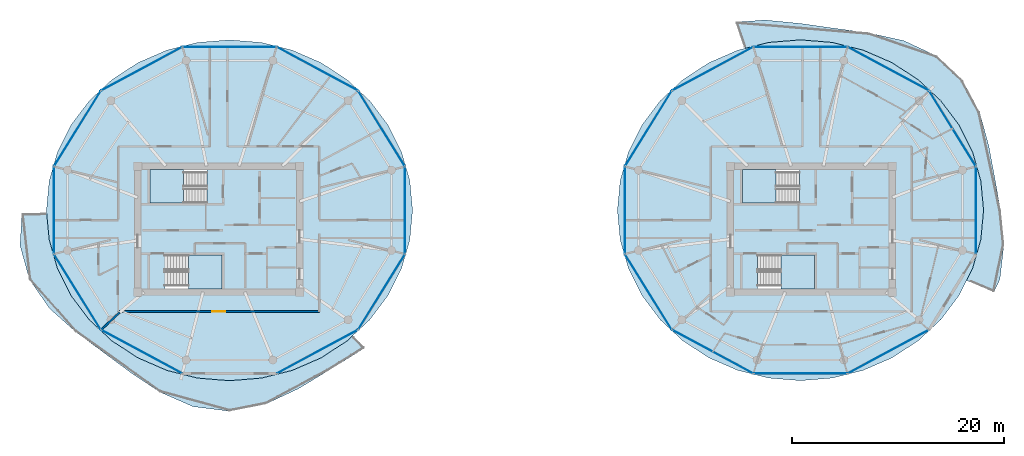
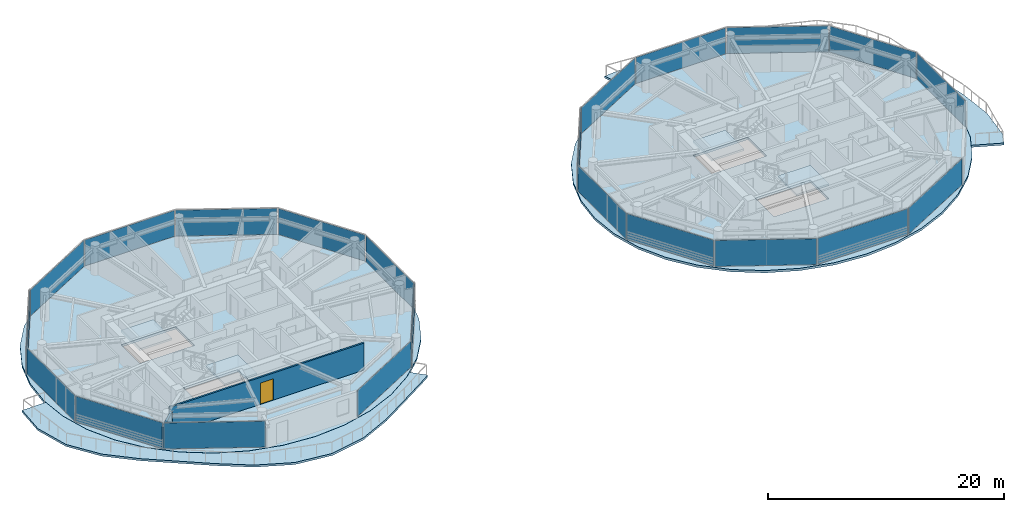
# One storey, part 11 of 22: 22 plates, 8 slabs, 2 walls, 1 door, 1 opening, 26 elements without a shape of their own.
"""IFC4 building model written with IfcOpenShell, lengths in metres."""

from ifc_helpers import new_model, si_unit, direction, frame, frame_2d, origin, origin_2d, place, context, subcontext, project, spatial, polyline, rectangle, outline, extrude, source, transform, mapped, material, layer, layer_set, type_object, type_shapes, element, fill, aggregate, save


model = new_model("IFC4")

# Units and contexts
model_context = context("Model", 3, precision=1e-05, world=origin(), true_north=direction((0.0, 1.0)))
body_context = subcontext(model_context, "Body", "Model", "MODEL_VIEW")
ifc_project = project(units=[si_unit("LENGTHUNIT", "METRE"), si_unit("AREAUNIT", "SQUARE_METRE"), si_unit("VOLUMEUNIT", "CUBIC_METRE"), si_unit("PLANEANGLEUNIT", "RADIAN"), si_unit("MASSUNIT", "GRAM", prefix="KILO")], contexts=[model_context])

# Site, building, storey
site_placement = place(None, origin())
site = spatial("IfcSite", under=ifc_project, at=site_placement, CompositionType="ELEMENT")
building_placement = place(site_placement, origin())
building = spatial("IfcBuilding", under=site, at=building_placement, Name="Norrkilde Senior Care Towers", CompositionType="ELEMENT")
storey_placement = place(building_placement, frame((0.0, 0.0, 167.85009765625)))
storey = spatial("IfcBuildingStorey", under=building, at=storey_placement, Name="L52", CompositionType="ELEMENT", Elevation=167.85009765625)

# Slabs
ifc_material_1 = material(Name="Concrete C50/60", Category="concrete")
ifc_layer_1 = layer(ifc_material_1, 0.215087890625)
ifc_layer_set_1 = layer_set([ifc_layer_1], Name="Concrete C50/60")
slab_type_1 = type_object("IfcSlabType", Name="Sinusoidal Balcony Ribbon Slab 215", PredefinedType="FLOOR", material=ifc_layer_set_1)
slab_1_placement = place(storey_placement, frame((0.0, 0.0, -0.215087890625)))
element("IfcSlab", 1, at=slab_1_placement, inside=storey, type_object=slab_type_1, Name="L52 Drum W Swirling Senior Balcony 1", PredefinedType="FLOOR", context=body_context, shape_type="SweptSolid", body=[
    extrude(outline(polyline([(-17.66796875, -13.390380859375), (-20.469482421875, -15.09130859375), (-23.56787109375, -16.5361328125), (-26.97509765625, -17.207763671875), (-30.422119140625, -16.779541015625), (-33.582275390625, -15.39208984375), (-36.358154296875, -13.5322265625), (-38.9306640625, -11.6279296875), (-41.500732421875, -9.721435546875), (-43.966552734375, -7.521240234375), (-45.8798828125, -4.766845703125), (-46.7724609375, -1.54345703125), (-46.581787109375, 1.45068359375), (-44.253173828125, 1.4892578125), (-44.01708984375, -1.021240234375), (-43.236328125, -3.73291015625), (-41.961669921875, -6.277099609375), (-40.2314453125, -8.57666015625), (-38.098388671875, -10.561767578125), (-35.62744140625, -12.171875), (-32.8935546875, -13.3583984375), (-29.97998046875, -14.0849609375), (-26.97509765625, -14.32958984375), (-23.969970703125, -14.0849609375), (-21.056396484375, -13.3583984375), (-18.322509765625, -12.171875), (-15.8515625, -10.561767578125), (-15.326416015625, -10.072998046875), (-14.1982421875, -11.22021484375), (-14.951416015625, -11.71484375), (-17.66796875, -13.390380859375)])), origin(), (0.0, 0.0, 1.0), 0.215087890625),
])
slab_2_placement = place(storey_placement, frame((0.0, 0.0, -0.215087890625)))
element("IfcSlab", 2, at=slab_2_placement, inside=storey, type_object=slab_type_1, Name="L52 Drum E Swirling Senior Balcony 1", PredefinedType="FLOOR", context=body_context, shape_type="SweptSolid", body=[
    extrude(outline(polyline([(45.256591796875, -5.94482421875), (42.67431640625, -4.8544921875), (43.236328125, -3.73291015625), (44.01708984375, -1.021240234375), (44.280029296875, 1.775390625), (44.01708984375, 4.572021484375), (43.236328125, 7.28369140625), (41.961669921875, 9.827880859375), (40.2314453125, 12.12744140625), (38.098388671875, 14.112548828125), (35.62744140625, 15.72265625), (32.8935546875, 16.9091796875), (29.97998046875, 17.6357421875), (26.97509765625, 17.88037109375), (23.969970703125, 17.6357421875), (21.73291015625, 17.077880859375), (20.886474609375, 19.548583984375), (23.622314453125, 19.75439453125), (26.97509765625, 19.42431640625), (30.198974609375, 18.970458984375), (33.44189453125, 18.528076171875), (36.744140625, 17.80126953125), (39.845458984375, 16.349853515625), (42.31396484375, 14.00537109375), (43.89990234375, 11.030517578125), (44.766357421875, 7.882080078125), (45.339111328125, 4.822509765625), (45.88134765625, 1.775390625), (46.2060546875, -1.43603515625), (45.82275390625, -4.74462890625), (45.256591796875, -5.94482421875)])), origin(), (0.0, 0.0, 1.0), 0.215087890625),
])

# Stair, slab
ifc_material_2 = material(Name="Concrete C45/55", Category="concrete")
stair_type = type_object("IfcStairType", Name="Core Protected Dogleg Stair Typical 3050", PredefinedType="HALF_TURN_STAIR", material=ifc_material_2)
stair_1_placement = place(storey_placement, origin())
stair_1 = element("IfcStair", 3, at=stair_1_placement, inside=storey, type_object=stair_type, Name="L52 Protected Core Stair W1", PredefinedType="HALF_TURN_STAIR")
ifc_layer_2 = layer(ifc_material_2, 0.199951171875)
ifc_layer_set_2 = layer_set([ifc_layer_2], Name="Concrete C45/55")
slab_type_2 = type_object("IfcSlabType", Name="Stair Landing Slab 200", PredefinedType="LANDING", material=ifc_layer_set_2)
slab_3_placement = place(storey_placement, frame((0.0, 0.0, 1.324951171875)))
slab_3 = element("IfcSlab", 4, at=slab_3_placement, type_object=slab_type_2, Name="ST-W1 landing 1", PredefinedType="LANDING", context=body_context, shape_type="SweptSolid", body=[
    extrude(outline(polyline([(-31.340087890625, 5.639892578125), (-34.5, 5.639892578125), (-34.5, 2.449951171875), (-31.340087890625, 2.449951171875), (-31.340087890625, 5.639892578125)])), origin(), (0.0, 0.0, 1.0), 0.199951171875),
])
aggregate(stair_1, [slab_3])

stair_2_placement = place(storey_placement, origin())
stair_2 = element("IfcStair", 5, at=stair_2_placement, inside=storey, type_object=stair_type, Name="L52 Protected Core Stair W2", PredefinedType="HALF_TURN_STAIR")
slab_4_placement = place(storey_placement, frame((0.0, 0.0, 1.324951171875)))
slab_4 = element("IfcSlab", 6, at=slab_4_placement, type_object=slab_type_2, Name="ST-W2 landing 1", PredefinedType="LANDING", context=body_context, shape_type="SweptSolid", body=[
    extrude(outline(polyline([(-30.860107421875, -5.639892578125), (-27.699951171875, -5.639892578125), (-27.699951171875, -2.449951171875), (-30.860107421875, -2.449951171875), (-30.860107421875, -5.639892578125)])), origin(), (0.0, 0.0, 1.0), 0.199951171875),
])
aggregate(stair_2, [slab_4])

stair_3_placement = place(storey_placement, origin())
stair_3 = element("IfcStair", 7, at=stair_3_placement, inside=storey, type_object=stair_type, Name="L52 Protected Core Stair E1", PredefinedType="HALF_TURN_STAIR")
slab_5_placement = place(storey_placement, frame((0.0, 0.0, 1.324951171875)))
slab_5 = element("IfcSlab", 8, at=slab_5_placement, type_object=slab_type_2, Name="ST-E1 landing 1", PredefinedType="LANDING", context=body_context, shape_type="SweptSolid", body=[
    extrude(outline(polyline([(24.659912109375, 5.639892578125), (21.5, 5.639892578125), (21.5, 2.449951171875), (24.659912109375, 2.449951171875), (24.659912109375, 5.639892578125)])), origin(), (0.0, 0.0, 1.0), 0.199951171875),
])
aggregate(stair_3, [slab_5])

stair_4_placement = place(storey_placement, origin())
stair_4 = element("IfcStair", 9, at=stair_4_placement, inside=storey, type_object=stair_type, Name="L52 Protected Core Stair E2", PredefinedType="HALF_TURN_STAIR")
slab_6_placement = place(storey_placement, frame((0.0, 0.0, 1.324951171875)))
slab_6 = element("IfcSlab", 10, at=slab_6_placement, type_object=slab_type_2, Name="ST-E2 landing 1", PredefinedType="LANDING", context=body_context, shape_type="SweptSolid", body=[
    extrude(outline(polyline([(25.139892578125, -5.639892578125), (28.300048828125, -5.639892578125), (28.300048828125, -2.449951171875), (25.139892578125, -2.449951171875), (25.139892578125, -5.639892578125)])), origin(), (0.0, 0.0, 1.0), 0.199951171875),
])
aggregate(stair_4, [slab_6])

# Slabs
ifc_layer_3 = layer(ifc_material_1, 0.239990234375)
ifc_layer_set_3 = layer_set([ifc_layer_3], Name="Concrete C50/60")
slab_type_3 = type_object("IfcSlabType", Name="Tower Residence Floor Slab 240", PredefinedType="FLOOR", material=ifc_layer_set_3)
slab_7_placement = place(storey_placement, frame((0.0, 0.0, -0.239990234375)))
element("IfcSlab", 11, at=slab_7_placement, inside=storey, type_object=slab_type_3, Name="L52 Drum W Structural Floor Slab", PredefinedType="FLOOR", context=body_context, shape_type="SweptSolid", body=[
    extrude(outline(polyline([(-10.71826171875, -3.731201171875), (-11.99267578125, -6.274658203125), (-13.722412109375, -8.573486328125), (-15.854736328125, -10.557861328125), (-18.324951171875, -12.167724609375), (-21.05810546875, -13.353759765625), (-23.970947265625, -14.080078125), (-26.97509765625, -14.32470703125), (-29.97900390625, -14.080078125), (-32.891845703125, -13.353759765625), (-35.625, -12.167724609375), (-38.09521484375, -10.557861328125), (-40.2275390625, -8.573486328125), (-41.957275390625, -6.274658203125), (-43.231689453125, -3.731201171875), (-44.01220703125, -1.020263671875), (-44.27490234375, 1.775390625), (-44.01220703125, 4.571044921875), (-43.231689453125, 7.281982421875), (-41.957275390625, 9.825439453125), (-40.2275390625, 12.124267578125), (-38.09521484375, 14.108642578125), (-35.625, 15.71826171875), (-32.891845703125, 16.904296875), (-29.97900390625, 17.630859375), (-26.97509765625, 17.875244140625), (-23.970947265625, 17.630859375), (-21.05810546875, 16.904296875), (-18.324951171875, 15.71826171875), (-15.854736328125, 14.108642578125), (-13.722412109375, 12.124267578125), (-11.99267578125, 9.825439453125), (-10.71826171875, 7.281982421875), (-9.937744140625, 4.571044921875), (-9.675048828125, 1.775390625), (-9.937744140625, -1.020263671875), (-10.71826171875, -3.731201171875)]), holes=[polyline([(-34.48193359375, 2.468017578125), (-29.117919921875, 2.468017578125), (-29.117919921875, 5.639892578125), (-34.48193359375, 5.639892578125), (-34.48193359375, 2.468017578125)]), polyline([(-27.718017578125, -5.639892578125), (-27.718017578125, -2.468017578125), (-33.08203125, -2.468017578125), (-33.08203125, -5.639892578125), (-27.718017578125, -5.639892578125)])]), origin(), (0.0, 0.0, 1.0), 0.239990234375),
])
slab_8_placement = place(storey_placement, frame((0.0, 0.0, -0.239990234375)))
element("IfcSlab", 12, at=slab_8_placement, inside=storey, type_object=slab_type_3, Name="L52 Drum E Structural Floor Slab", PredefinedType="FLOOR", context=body_context, shape_type="SweptSolid", body=[
    extrude(outline(polyline([(43.231689453125, -3.731201171875), (41.957275390625, -6.274658203125), (40.2275390625, -8.573486328125), (38.09521484375, -10.557861328125), (35.625, -12.167724609375), (32.891845703125, -13.353759765625), (29.97900390625, -14.080078125), (26.97509765625, -14.32470703125), (23.970947265625, -14.080078125), (21.05810546875, -13.353759765625), (18.324951171875, -12.167724609375), (15.854736328125, -10.557861328125), (13.722412109375, -8.573486328125), (11.99267578125, -6.274658203125), (10.71826171875, -3.731201171875), (9.937744140625, -1.020263671875), (9.675048828125, 1.775390625), (9.937744140625, 4.571044921875), (10.71826171875, 7.281982421875), (11.99267578125, 9.825439453125), (13.722412109375, 12.124267578125), (15.854736328125, 14.108642578125), (18.324951171875, 15.71826171875), (21.05810546875, 16.904296875), (23.970947265625, 17.630859375), (26.97509765625, 17.875244140625), (29.97900390625, 17.630859375), (32.891845703125, 16.904296875), (35.625, 15.71826171875), (38.09521484375, 14.108642578125), (40.2275390625, 12.124267578125), (41.957275390625, 9.825439453125), (43.231689453125, 7.281982421875), (44.01220703125, 4.571044921875), (44.27490234375, 1.775390625), (44.01220703125, -1.020263671875), (43.231689453125, -3.731201171875)]), holes=[polyline([(21.51806640625, 2.468017578125), (26.882080078125, 2.468017578125), (26.882080078125, 5.639892578125), (21.51806640625, 5.639892578125), (21.51806640625, 2.468017578125)]), polyline([(28.281982421875, -5.639892578125), (28.281982421875, -2.468017578125), (22.91796875, -2.468017578125), (22.91796875, -5.639892578125), (28.281982421875, -5.639892578125)])]), origin(), (0.0, 0.0, 1.0), 0.239990234375),
])

# Curtain wall, plate
ifc_material_3 = material(Name="Triple Low-E Insulated Glazing", Category="glass")
ifc_layer_4 = layer(ifc_material_3, 0.18994140625)
ifc_layer_set_4 = layer_set([ifc_layer_4], Name="Triple Low-E Insulated Glazing")
curtain_wall_type = type_object("IfcCurtainWallType", Name="CW4 Zone 3 Senior Residence Curtain Wall", PredefinedType="NOTDEFINED", material=ifc_layer_set_4)
curtain_wall_1_placement = place(storey_placement, origin())
curtain_wall_1 = element("IfcCurtainWall", 13, at=curtain_wall_1_placement, inside=storey, type_object=curtain_wall_type, Name="L52 Drum W Curtain Wall 00", PredefinedType="NOTDEFINED")
ifc_layer_5 = layer(ifc_material_3, 0.035888671875)
ifc_layer_set_5 = layer_set([ifc_layer_5], Name="Triple Low-E Insulated Glazing")
plate_type = type_object("IfcPlateType", Name="Triple Low-E Vision Curtain Panel 36", PredefinedType="CURTAIN_PANEL", material=ifc_layer_set_5)
shared_shape_1 = source(origin(), body_context, "Body", "SweptSolid", [
    extrude(rectangle(XDim=8.301513671875, YDim=0.035888671875, at=origin_2d()), origin(), (0.0, 0.0, 1.0), 2.68994140625),
])
plate_1_placement = place(storey_placement, frame((-12.603759765625, 9.4931640625, 0.059814453125), z_axis=(0.0, 0.0, 1.0), x_axis=(0.52737270789, -0.84963405474, 0.0)))
plate_1 = element("IfcPlate", 14, at=plate_1_placement, type_object=plate_type, Name="CW-4 panel 1.1", PredefinedType="CURTAIN_PANEL", context=body_context, shape_type="MappedRepresentation", body=[
    mapped(shared_shape_1, transform((0.0, 0.0, 0.0), x_axis=(1.0, 0.0, 0.0), y_axis=(0.0, 1.0, 0.0), z_axis=(0.0, 0.0, 1.0), scale=1.0)),
])
aggregate(curtain_wall_1, [plate_1])

curtain_wall_2_placement = place(storey_placement, origin())
curtain_wall_2 = element("IfcCurtainWall", 15, at=curtain_wall_2_placement, inside=storey, type_object=curtain_wall_type, Name="L52 Drum W Curtain Wall 04", PredefinedType="NOTDEFINED")
plate_2_placement = place(storey_placement, frame((-41.346435546875, 9.4931640625, 0.059814453125), z_axis=(0.0, 0.0, 1.0), x_axis=(0.52737270789, 0.84963405474, 0.0)))
plate_2 = element("IfcPlate", 16, at=plate_2_placement, type_object=plate_type, Name="CW-4 panel 1.1", PredefinedType="CURTAIN_PANEL", context=body_context, shape_type="MappedRepresentation", body=[
    mapped(shared_shape_1, transform((0.0, 0.0, 0.0), x_axis=(1.0, 0.0, 0.0), y_axis=(0.0, 1.0, 0.0), z_axis=(0.0, 0.0, 1.0), scale=1.0)),
])
aggregate(curtain_wall_2, [plate_2])

curtain_wall_3_placement = place(storey_placement, origin())
curtain_wall_3 = element("IfcCurtainWall", 17, at=curtain_wall_3_placement, inside=storey, type_object=curtain_wall_type, Name="L52 Drum W Curtain Wall 06", PredefinedType="NOTDEFINED")
plate_3_placement = place(storey_placement, frame((-41.346435546875, -5.9423828125, 0.059814453125), z_axis=(0.0, 0.0, 1.0), x_axis=(-0.52737270789, 0.84963405474, 0.0)))
plate_3 = element("IfcPlate", 18, at=plate_3_placement, type_object=plate_type, Name="CW-4 panel 1.1", PredefinedType="CURTAIN_PANEL", context=body_context, shape_type="MappedRepresentation", body=[
    mapped(shared_shape_1, transform((0.0, 0.0, 0.0), x_axis=(1.0, 0.0, 0.0), y_axis=(0.0, 1.0, 0.0), z_axis=(0.0, 0.0, 1.0), scale=1.0)),
])
aggregate(curtain_wall_3, [plate_3])

curtain_wall_4_placement = place(storey_placement, origin())
curtain_wall_4 = element("IfcCurtainWall", 19, at=curtain_wall_4_placement, inside=storey, type_object=curtain_wall_type, Name="L52 Drum W Curtain Wall 10", PredefinedType="NOTDEFINED")
plate_4_placement = place(storey_placement, frame((-12.603759765625, -5.9423828125, 0.059814453125), z_axis=(0.0, 0.0, 1.0), x_axis=(-0.52737270789, -0.84963405474, 0.0)))
plate_4 = element("IfcPlate", 20, at=plate_4_placement, type_object=plate_type, Name="CW-4 panel 1.1", PredefinedType="CURTAIN_PANEL", context=body_context, shape_type="MappedRepresentation", body=[
    mapped(shared_shape_1, transform((0.0, 0.0, 0.0), x_axis=(1.0, 0.0, 0.0), y_axis=(0.0, 1.0, 0.0), z_axis=(0.0, 0.0, 1.0), scale=1.0)),
])
aggregate(curtain_wall_4, [plate_4])

curtain_wall_5_placement = place(storey_placement, origin())
curtain_wall_5 = element("IfcCurtainWall", 21, at=curtain_wall_5_placement, inside=storey, type_object=curtain_wall_type, Name="L52 Drum E Curtain Wall 00", PredefinedType="NOTDEFINED")
plate_5_placement = place(storey_placement, frame((41.346435546875, 9.4931640625, 0.059814453125), z_axis=(0.0, 0.0, 1.0), x_axis=(0.52737270789, -0.84963405474, 0.0)))
plate_5 = element("IfcPlate", 22, at=plate_5_placement, type_object=plate_type, Name="CW-4 panel 1.1", PredefinedType="CURTAIN_PANEL", context=body_context, shape_type="MappedRepresentation", body=[
    mapped(shared_shape_1, transform((0.0, 0.0, 0.0), x_axis=(1.0, 0.0, 0.0), y_axis=(0.0, 1.0, 0.0), z_axis=(0.0, 0.0, 1.0), scale=1.0)),
])
aggregate(curtain_wall_5, [plate_5])

curtain_wall_6_placement = place(storey_placement, origin())
curtain_wall_6 = element("IfcCurtainWall", 23, at=curtain_wall_6_placement, inside=storey, type_object=curtain_wall_type, Name="L52 Drum E Curtain Wall 04", PredefinedType="NOTDEFINED")
plate_6_placement = place(storey_placement, frame((12.603759765625, 9.4931640625, 0.059814453125), z_axis=(0.0, 0.0, 1.0), x_axis=(0.52737270789, 0.84963405474, 0.0)))
plate_6 = element("IfcPlate", 24, at=plate_6_placement, type_object=plate_type, Name="CW-4 panel 1.1", PredefinedType="CURTAIN_PANEL", context=body_context, shape_type="MappedRepresentation", body=[
    mapped(shared_shape_1, transform((0.0, 0.0, 0.0), x_axis=(1.0, 0.0, 0.0), y_axis=(0.0, 1.0, 0.0), z_axis=(0.0, 0.0, 1.0), scale=1.0)),
])
aggregate(curtain_wall_6, [plate_6])

curtain_wall_7_placement = place(storey_placement, origin())
curtain_wall_7 = element("IfcCurtainWall", 25, at=curtain_wall_7_placement, inside=storey, type_object=curtain_wall_type, Name="L52 Drum E Curtain Wall 06", PredefinedType="NOTDEFINED")
plate_7_placement = place(storey_placement, frame((12.603759765625, -5.9423828125, 0.059814453125), z_axis=(0.0, 0.0, 1.0), x_axis=(-0.52737270789, 0.84963405474, 0.0)))
plate_7 = element("IfcPlate", 26, at=plate_7_placement, type_object=plate_type, Name="CW-4 panel 1.1", PredefinedType="CURTAIN_PANEL", context=body_context, shape_type="MappedRepresentation", body=[
    mapped(shared_shape_1, transform((0.0, 0.0, 0.0), x_axis=(1.0, 0.0, 0.0), y_axis=(0.0, 1.0, 0.0), z_axis=(0.0, 0.0, 1.0), scale=1.0)),
])
aggregate(curtain_wall_7, [plate_7])

curtain_wall_8_placement = place(storey_placement, origin())
curtain_wall_8 = element("IfcCurtainWall", 27, at=curtain_wall_8_placement, inside=storey, type_object=curtain_wall_type, Name="L52 Drum W Curtain Wall 01", PredefinedType="NOTDEFINED")
shared_shape_2 = source(origin(), body_context, "Body", "SweptSolid", [
    extrude(rectangle(XDim=8.61181640625, YDim=0.035888671875, at=origin_2d()), origin(), (0.0, 0.0, 1.0), 2.68994140625),
])
plate_8_placement = place(storey_placement, frame((-18.677734375, 15.142822265625, 0.059814453125), z_axis=(0.0, 0.0, 1.0), x_axis=(0.880999524059, -0.47311715104, 0.0)))
plate_8 = element("IfcPlate", 28, at=plate_8_placement, type_object=plate_type, Name="CW-4 panel 1.1", PredefinedType="CURTAIN_PANEL", context=body_context, shape_type="MappedRepresentation", body=[
    mapped(shared_shape_2, transform((0.0, 0.0, 0.0), x_axis=(1.0, 0.0, 0.0), y_axis=(0.0, 1.0, 0.0), z_axis=(0.0, 0.0, 1.0), scale=1.0)),
])
aggregate(curtain_wall_8, [plate_8])

curtain_wall_9_placement = place(storey_placement, origin())
curtain_wall_9 = element("IfcCurtainWall", 29, at=curtain_wall_9_placement, inside=storey, type_object=curtain_wall_type, Name="L52 Drum W Curtain Wall 03", PredefinedType="NOTDEFINED")
plate_9_placement = place(storey_placement, frame((-35.272216796875, 15.142822265625, 0.059814453125), z_axis=(0.0, 0.0, 1.0), x_axis=(0.880999524059, 0.47311715104, 0.0)))
plate_9 = element("IfcPlate", 30, at=plate_9_placement, type_object=plate_type, Name="CW-4 panel 1.1", PredefinedType="CURTAIN_PANEL", context=body_context, shape_type="MappedRepresentation", body=[
    mapped(shared_shape_2, transform((0.0, 0.0, 0.0), x_axis=(1.0, 0.0, 0.0), y_axis=(0.0, 1.0, 0.0), z_axis=(0.0, 0.0, 1.0), scale=1.0)),
])
aggregate(curtain_wall_9, [plate_9])

curtain_wall_10_placement = place(storey_placement, origin())
curtain_wall_10 = element("IfcCurtainWall", 31, at=curtain_wall_10_placement, inside=storey, type_object=curtain_wall_type, Name="L52 Drum W Curtain Wall 07", PredefinedType="NOTDEFINED")
plate_10_placement = place(storey_placement, frame((-35.272216796875, -11.59228515625, 0.059814453125), z_axis=(0.0, 0.0, 1.0), x_axis=(-0.880999524059, 0.47311715104, 0.0)))
plate_10 = element("IfcPlate", 32, at=plate_10_placement, type_object=plate_type, Name="CW-4 panel 1.1", PredefinedType="CURTAIN_PANEL", context=body_context, shape_type="MappedRepresentation", body=[
    mapped(shared_shape_2, transform((0.0, 0.0, 0.0), x_axis=(1.0, 0.0, 0.0), y_axis=(0.0, 1.0, 0.0), z_axis=(0.0, 0.0, 1.0), scale=1.0)),
])
aggregate(curtain_wall_10, [plate_10])

curtain_wall_11_placement = place(storey_placement, origin())
curtain_wall_11 = element("IfcCurtainWall", 33, at=curtain_wall_11_placement, inside=storey, type_object=curtain_wall_type, Name="L52 Drum W Curtain Wall 09", PredefinedType="NOTDEFINED")
plate_11_placement = place(storey_placement, frame((-18.677734375, -11.59228515625, 0.059814453125), z_axis=(0.0, 0.0, 1.0), x_axis=(-0.880999524059, -0.47311715104, 0.0)))
plate_11 = element("IfcPlate", 34, at=plate_11_placement, type_object=plate_type, Name="CW-4 panel 1.1", PredefinedType="CURTAIN_PANEL", context=body_context, shape_type="MappedRepresentation", body=[
    mapped(shared_shape_2, transform((0.0, 0.0, 0.0), x_axis=(1.0, 0.0, 0.0), y_axis=(0.0, 1.0, 0.0), z_axis=(0.0, 0.0, 1.0), scale=1.0)),
])
aggregate(curtain_wall_11, [plate_11])

curtain_wall_12_placement = place(storey_placement, origin())
curtain_wall_12 = element("IfcCurtainWall", 35, at=curtain_wall_12_placement, inside=storey, type_object=curtain_wall_type, Name="L52 Drum E Curtain Wall 01", PredefinedType="NOTDEFINED")
plate_12_placement = place(storey_placement, frame((35.272216796875, 15.142822265625, 0.059814453125), z_axis=(0.0, 0.0, 1.0), x_axis=(0.880999524059, -0.47311715104, 0.0)))
plate_12 = element("IfcPlate", 36, at=plate_12_placement, type_object=plate_type, Name="CW-4 panel 1.1", PredefinedType="CURTAIN_PANEL", context=body_context, shape_type="MappedRepresentation", body=[
    mapped(shared_shape_2, transform((0.0, 0.0, 0.0), x_axis=(1.0, 0.0, 0.0), y_axis=(0.0, 1.0, 0.0), z_axis=(0.0, 0.0, 1.0), scale=1.0)),
])
aggregate(curtain_wall_12, [plate_12])

curtain_wall_13_placement = place(storey_placement, origin())
curtain_wall_13 = element("IfcCurtainWall", 37, at=curtain_wall_13_placement, inside=storey, type_object=curtain_wall_type, Name="L52 Drum E Curtain Wall 03", PredefinedType="NOTDEFINED")
plate_13_placement = place(storey_placement, frame((18.677734375, 15.142822265625, 0.059814453125), z_axis=(0.0, 0.0, 1.0), x_axis=(0.880999524059, 0.47311715104, 0.0)))
plate_13 = element("IfcPlate", 38, at=plate_13_placement, type_object=plate_type, Name="CW-4 panel 1.1", PredefinedType="CURTAIN_PANEL", context=body_context, shape_type="MappedRepresentation", body=[
    mapped(shared_shape_2, transform((0.0, 0.0, 0.0), x_axis=(1.0, 0.0, 0.0), y_axis=(0.0, 1.0, 0.0), z_axis=(0.0, 0.0, 1.0), scale=1.0)),
])
aggregate(curtain_wall_13, [plate_13])

curtain_wall_14_placement = place(storey_placement, origin())
curtain_wall_14 = element("IfcCurtainWall", 39, at=curtain_wall_14_placement, inside=storey, type_object=curtain_wall_type, Name="L52 Drum E Curtain Wall 07", PredefinedType="NOTDEFINED")
plate_14_placement = place(storey_placement, frame((18.677734375, -11.59228515625, 0.059814453125), z_axis=(0.0, 0.0, 1.0), x_axis=(-0.880999524059, 0.47311715104, 0.0)))
plate_14 = element("IfcPlate", 40, at=plate_14_placement, type_object=plate_type, Name="CW-4 panel 1.1", PredefinedType="CURTAIN_PANEL", context=body_context, shape_type="MappedRepresentation", body=[
    mapped(shared_shape_2, transform((0.0, 0.0, 0.0), x_axis=(1.0, 0.0, 0.0), y_axis=(0.0, 1.0, 0.0), z_axis=(0.0, 0.0, 1.0), scale=1.0)),
])
aggregate(curtain_wall_14, [plate_14])

curtain_wall_15_placement = place(storey_placement, origin())
curtain_wall_15 = element("IfcCurtainWall", 41, at=curtain_wall_15_placement, inside=storey, type_object=curtain_wall_type, Name="L52 Drum E Curtain Wall 09", PredefinedType="NOTDEFINED")
plate_15_placement = place(storey_placement, frame((35.272216796875, -11.59228515625, 0.059814453125), z_axis=(0.0, 0.0, 1.0), x_axis=(-0.880999524059, -0.47311715104, 0.0)))
plate_15 = element("IfcPlate", 42, at=plate_15_placement, type_object=plate_type, Name="CW-4 panel 1.1", PredefinedType="CURTAIN_PANEL", context=body_context, shape_type="MappedRepresentation", body=[
    mapped(shared_shape_2, transform((0.0, 0.0, 0.0), x_axis=(1.0, 0.0, 0.0), y_axis=(0.0, 1.0, 0.0), z_axis=(0.0, 0.0, 1.0), scale=1.0)),
])
aggregate(curtain_wall_15, [plate_15])

curtain_wall_16_placement = place(storey_placement, origin())
curtain_wall_16 = element("IfcCurtainWall", 43, at=curtain_wall_16_placement, inside=storey, type_object=curtain_wall_type, Name="L52 Drum W Curtain Wall 02", PredefinedType="NOTDEFINED")
shared_shape_3 = source(origin(), body_context, "Body", "SweptSolid", [
    extrude(rectangle(XDim=8.762939453125, YDim=0.035888671875, at=origin_2d()), origin(), (0.0, 0.0, 1.0), 2.68994140625),
])
plate_16_placement = place(storey_placement, frame((-26.97509765625, 17.2109375, 0.059814453125), z_axis=(0.0, 0.0, 1.0), x_axis=(1.0, 0.0, 0.0)))
plate_16 = element("IfcPlate", 44, at=plate_16_placement, type_object=plate_type, Name="CW-4 panel 1.1", PredefinedType="CURTAIN_PANEL", context=body_context, shape_type="MappedRepresentation", body=[
    mapped(shared_shape_3, transform((0.0, 0.0, 0.0), x_axis=(1.0, 0.0, 0.0), y_axis=(0.0, 1.0, 0.0), z_axis=(0.0, 0.0, 1.0), scale=1.0)),
])
aggregate(curtain_wall_16, [plate_16])

curtain_wall_17_placement = place(storey_placement, origin())
curtain_wall_17 = element("IfcCurtainWall", 45, at=curtain_wall_17_placement, inside=storey, type_object=curtain_wall_type, Name="L52 Drum E Curtain Wall 02", PredefinedType="NOTDEFINED")
plate_17_placement = place(storey_placement, frame((26.97509765625, 17.2109375, 0.059814453125), z_axis=(0.0, 0.0, 1.0), x_axis=(1.0, 0.0, 0.0)))
plate_17 = element("IfcPlate", 46, at=plate_17_placement, type_object=plate_type, Name="CW-4 panel 1.1", PredefinedType="CURTAIN_PANEL", context=body_context, shape_type="MappedRepresentation", body=[
    mapped(shared_shape_3, transform((0.0, 0.0, 0.0), x_axis=(1.0, 0.0, 0.0), y_axis=(0.0, 1.0, 0.0), z_axis=(0.0, 0.0, 1.0), scale=1.0)),
])
aggregate(curtain_wall_17, [plate_17])

curtain_wall_18_placement = place(storey_placement, origin())
curtain_wall_18 = element("IfcCurtainWall", 47, at=curtain_wall_18_placement, inside=storey, type_object=curtain_wall_type, Name="L52 Drum E Curtain Wall 08", PredefinedType="NOTDEFINED")
plate_18_placement = place(storey_placement, frame((26.97509765625, -13.66015625, 0.059814453125), z_axis=(0.0, 0.0, 1.0), x_axis=(-1.0, 0.0, 0.0)))
plate_18 = element("IfcPlate", 48, at=plate_18_placement, type_object=plate_type, Name="CW-4 panel 1.1", PredefinedType="CURTAIN_PANEL", context=body_context, shape_type="MappedRepresentation", body=[
    mapped(shared_shape_3, transform((0.0, 0.0, 0.0), x_axis=(1.0, 0.0, 0.0), y_axis=(0.0, 1.0, 0.0), z_axis=(0.0, 0.0, 1.0), scale=1.0)),
])
aggregate(curtain_wall_18, [plate_18])

curtain_wall_19_placement = place(storey_placement, origin())
curtain_wall_19 = element("IfcCurtainWall", 49, at=curtain_wall_19_placement, inside=storey, type_object=curtain_wall_type, Name="L52 Drum W Curtain Wall 05", PredefinedType="NOTDEFINED")
shared_shape_4 = source(origin(), body_context, "Body", "SweptSolid", [
    extrude(rectangle(XDim=8.141845703125, YDim=0.035888671875, at=origin_2d()), origin(), (0.0, 0.0, 1.0), 2.68994140625),
])
type_shapes(plate_type, [shared_shape_1, shared_shape_2, shared_shape_3, shared_shape_4])
plate_19_placement = place(storey_placement, frame((-43.569580078125, 1.775390625, 0.059814453125), z_axis=(0.0, 0.0, 1.0), x_axis=(0.0, 1.0, 0.0)))
plate_19 = element("IfcPlate", 50, at=plate_19_placement, type_object=plate_type, Name="CW-4 panel 1.1", PredefinedType="CURTAIN_PANEL", context=body_context, shape_type="MappedRepresentation", body=[
    mapped(shared_shape_4, transform((0.0, 0.0, 0.0), x_axis=(1.0, 0.0, 0.0), y_axis=(0.0, 1.0, 0.0), z_axis=(0.0, 0.0, 1.0), scale=1.0)),
])
aggregate(curtain_wall_19, [plate_19])

curtain_wall_20_placement = place(storey_placement, origin())
curtain_wall_20 = element("IfcCurtainWall", 51, at=curtain_wall_20_placement, inside=storey, type_object=curtain_wall_type, Name="L52 Drum W Curtain Wall 11", PredefinedType="NOTDEFINED")
plate_20_placement = place(storey_placement, frame((-10.38037109375, 1.775390625, 0.059814453125), z_axis=(0.0, 0.0, 1.0), x_axis=(0.0, -1.0, 0.0)))
plate_20 = element("IfcPlate", 52, at=plate_20_placement, type_object=plate_type, Name="CW-4 panel 1.1", PredefinedType="CURTAIN_PANEL", context=body_context, shape_type="MappedRepresentation", body=[
    mapped(shared_shape_4, transform((0.0, 0.0, 0.0), x_axis=(1.0, 0.0, 0.0), y_axis=(0.0, 1.0, 0.0), z_axis=(0.0, 0.0, 1.0), scale=1.0)),
])
aggregate(curtain_wall_20, [plate_20])

curtain_wall_21_placement = place(storey_placement, origin())
curtain_wall_21 = element("IfcCurtainWall", 53, at=curtain_wall_21_placement, inside=storey, type_object=curtain_wall_type, Name="L52 Drum E Curtain Wall 05", PredefinedType="NOTDEFINED")
plate_21_placement = place(storey_placement, frame((10.38037109375, 1.775390625, 0.059814453125), z_axis=(0.0, 0.0, 1.0), x_axis=(0.0, 1.0, 0.0)))
plate_21 = element("IfcPlate", 54, at=plate_21_placement, type_object=plate_type, Name="CW-4 panel 1.1", PredefinedType="CURTAIN_PANEL", context=body_context, shape_type="MappedRepresentation", body=[
    mapped(shared_shape_4, transform((0.0, 0.0, 0.0), x_axis=(1.0, 0.0, 0.0), y_axis=(0.0, 1.0, 0.0), z_axis=(0.0, 0.0, 1.0), scale=1.0)),
])
aggregate(curtain_wall_21, [plate_21])

curtain_wall_22_placement = place(storey_placement, origin())
curtain_wall_22 = element("IfcCurtainWall", 55, at=curtain_wall_22_placement, inside=storey, type_object=curtain_wall_type, Name="L52 Drum E Curtain Wall 11", PredefinedType="NOTDEFINED")
plate_22_placement = place(storey_placement, frame((43.569580078125, 1.775390625, 0.059814453125), z_axis=(0.0, 0.0, 1.0), x_axis=(0.0, -1.0, 0.0)))
plate_22 = element("IfcPlate", 56, at=plate_22_placement, type_object=plate_type, Name="CW-4 panel 1.1", PredefinedType="CURTAIN_PANEL", context=body_context, shape_type="MappedRepresentation", body=[
    mapped(shared_shape_4, transform((0.0, 0.0, 0.0), x_axis=(1.0, 0.0, 0.0), y_axis=(0.0, 1.0, 0.0), z_axis=(0.0, 0.0, 1.0), scale=1.0)),
])
aggregate(curtain_wall_22, [plate_22])

# Wall
ifc_material_4 = material(Name="Gypsum Acoustic Board")
ifc_layer_6 = layer(ifc_material_4, 0.18994140625)
ifc_layer_set_6 = layer_set([ifc_layer_6], Name="Gypsum Acoustic Board")
wall_type_1 = type_object("IfcWallType", Name="Unit Demising Acoustic Wall 190", PredefinedType="PARTITIONING", material=ifc_layer_set_6)
shared_shape_5 = source(origin(), body_context, "Body", "SweptSolid", [
    extrude(rectangle(XDim=2.434814453125, YDim=0.18994140625, at=frame_2d((1.21728515625, 0.0))), origin(), (0.0, 0.0, 1.0), 2.344970703125),
])
type_shapes(wall_type_1, [shared_shape_5])
wall_1_placement = place(storey_placement, frame((-37.3544921875, -7.8798828125, 0.0), z_axis=(0.0, 0.0, 1.0), x_axis=(-0.732164643118, -0.681127693878, 0.0)))
element("IfcWall", 57, at=wall_1_placement, inside=storey, type_object=wall_type_1, Name="WL-INT-L52-W-DEM-07-0", PredefinedType="PARTITIONING", context=body_context, shape_type="MappedRepresentation", body=[
    mapped(shared_shape_5, transform((0.0, 0.0, 0.0), x_axis=(1.0, 0.0, 0.0), y_axis=(0.0, 1.0, 0.0), z_axis=(0.0, 0.0, 1.0), scale=1.0)),
])

# Wall, opening, door
ifc_layer_7 = layer(ifc_material_4, 0.1650390625)
ifc_layer_set_7 = layer_set([ifc_layer_7], Name="Gypsum Acoustic Board")
wall_type_2 = type_object("IfcWallType", Name="Corridor Rated Partition 165", PredefinedType="PARTITIONING", material=ifc_layer_set_7)
shared_shape_6 = source(origin(), body_context, "Body", "SweptSolid", [
    extrude(rectangle(XDim=19.0, YDim=0.1650390625, at=frame_2d((9.5, 0.0))), origin(), (0.0, 0.0, 1.0), 2.794921875),
])
type_shapes(wall_type_2, [shared_shape_6])
wall_2_placement = place(storey_placement, frame((-18.5, -7.800048828125, 0.0), z_axis=(0.0, 0.0, 1.0), x_axis=(-1.0, 0.0, 0.0)))
wall_2 = element("IfcWall", 58, at=wall_2_placement, inside=storey, type_object=wall_type_2, Name="WL-INT-L52-W-CRW-S-0", PredefinedType="PARTITIONING", context=body_context, shape_type="MappedRepresentation", body=[
    mapped(shared_shape_6, transform((0.0, 0.0, 0.0), x_axis=(1.0, 0.0, 0.0), y_axis=(0.0, 1.0, 0.0), z_axis=(0.0, 0.0, 1.0), scale=1.0)),
])
opening_placement = place(wall_2_placement, frame((8.875, 0.0, 0.0)))
opening = element("IfcOpeningElement", 59, at=opening_placement, cuts=wall_2, Name="Opening D-05", PredefinedType="OPENING", context=body_context, shape_type="SweptSolid", body=[
    extrude(rectangle(XDim=1.25, YDim=2.199951171875, at=frame_2d((0.625, 1.10009765625))), frame((0.0, 0.092529296875, 0.0), z_axis=(0.0, -1.0, 0.0), x_axis=(1.0, 0.0, 0.0)), (0.0, 0.0, 1.0), 0.18505859375),
])
ifc_material_5 = material(Name="Nordic Ash Timber", Category="wood")
door_type = type_object("IfcDoorType", Name="Care Bedroom Bariatric Door 1250x2200", OperationType="NOTDEFINED", PredefinedType="DOOR", material=ifc_material_5)
shared_shape_7 = source(origin(), body_context, "Body", "SweptSolid", [
    extrude(rectangle(XDim=1.25, YDim=2.199951171875, at=frame_2d((0.625, 1.10009765625))), frame((0.0, 0.02490234375, 0.0), z_axis=(0.0, -1.0, 0.0), x_axis=(1.0, 0.0, 0.0)), (0.0, 0.0, 1.0), 0.050048828125),
])
type_shapes(door_type, [shared_shape_7])
door_placement = place(opening_placement, frame((1.25, 0.0, 0.0), z_axis=(0.0, 0.0, 1.0), x_axis=(-1.0, 0.0, 0.0)))
door = element("IfcDoor", 60, at=door_placement, inside=storey, type_object=door_type, Name="L52 Geriatric Rehabilitation Clinic Door", OperationType="SINGLE_SWING_RIGHT", OverallHeight=2.199951171875, OverallWidth=1.25, PredefinedType="DOOR", context=body_context, shape_type="MappedRepresentation", body=[
    mapped(shared_shape_7, transform((0.0, 0.0, 0.0), x_axis=(1.0, 0.0, 0.0), y_axis=(0.0, 1.0, 0.0), z_axis=(0.0, 0.0, 1.0), scale=1.0)),
])
fill(opening, door)

save(model, "model.ifc")
